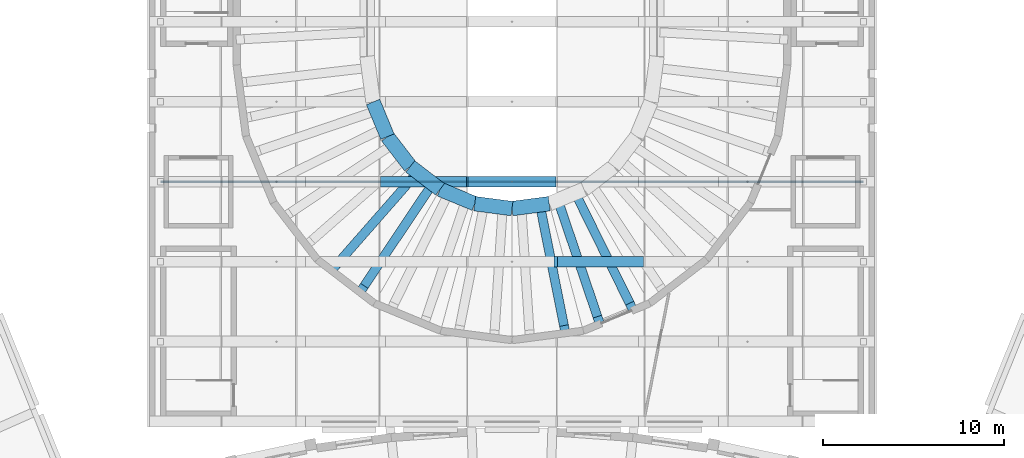
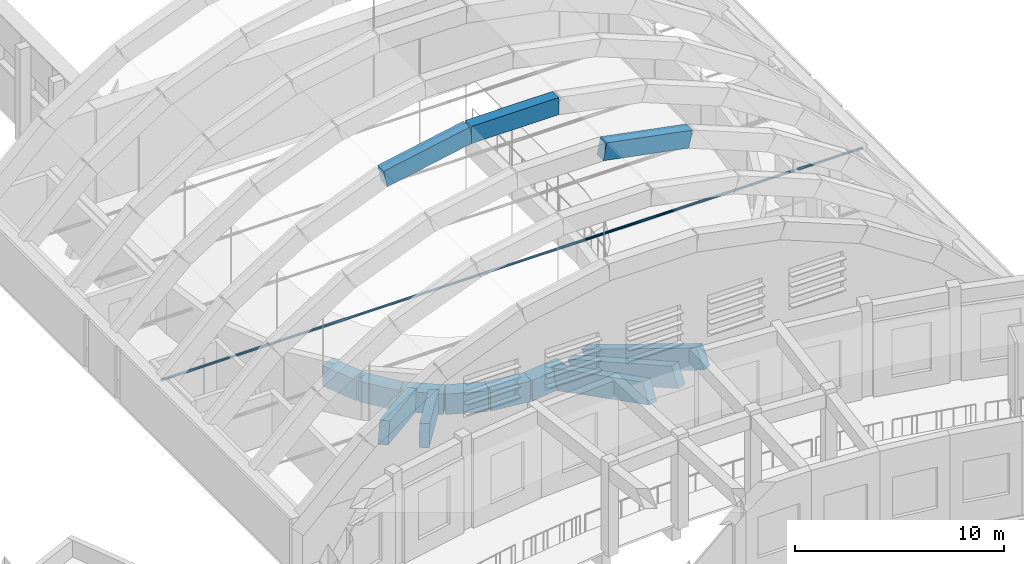
# One storey, part 20 of 94: 14 beams, 1 member.
"""IFC4 building model written with IfcOpenShell, lengths in metres."""

from ifc_helpers import new_model, si_unit, direction, frame, origin, origin_2d, place, context, subcontext, project, spatial, rectangle, hollow_circle, extrude, material, material_profile, profile_set, type_object, element, save


model = new_model("IFC4")

# Units and contexts
model_context = context("Model", 3, precision=1e-05, world=origin(), true_north=direction((0.0, 1.0)))
body_context = subcontext(model_context, "Body", "Model", "MODEL_VIEW")
ifc_project = project(units=[si_unit("LENGTHUNIT", "METRE"), si_unit("AREAUNIT", "SQUARE_METRE"), si_unit("VOLUMEUNIT", "CUBIC_METRE"), si_unit("PLANEANGLEUNIT", "RADIAN"), si_unit("MASSUNIT", "GRAM", prefix="KILO")], contexts=[model_context])

# Site, building, storey
site_placement = place(None, origin())
site = spatial("IfcSite", under=ifc_project, at=site_placement, CompositionType="ELEMENT")
building_placement = place(site_placement, origin())
building = spatial("IfcBuilding", under=site, at=building_placement, Name="Lunette Opera House", CompositionType="ELEMENT")
storey_placement = place(building_placement, frame((0.0, 0.0, 22.5)))
storey = spatial("IfcBuildingStorey", under=building, at=storey_placement, Name="L04", CompositionType="ELEMENT", Elevation=22.5)

# Beams
ifc_material_1 = material(Name="Concrete C40/50", Category="concrete")
ifc_material_profile_1 = material_profile(ifc_material_1, rectangle(XDim=0.60009765625, YDim=1.0, at=origin_2d()), Name="ARCH BEAM 600X1000")
ifc_profile_set_1 = profile_set([ifc_material_profile_1], Name="Concrete C40/50")
beam_type_1 = type_object("IfcBeamType", Name="ARCH BEAM 600X1000", PredefinedType="BEAM", material=ifc_profile_set_1)
for number, where, z_axis, x_axis, name in (
    (1, (98.4189453125, 73.12890625, 11.262939453125), (0.981908402453, 0.0, -0.189356513466), (0.0, 1.0, 0.0), "beam-AU-L04-EA3-6"),
    (2, (88.8310546875, 77.54296875, 10.346923828125), (0.981908402453, 0.0, 0.189356513466), (0.0, 1.0, 0.0), "beam-AU-L04-EA4-4"),
):
    element("IfcBeam", number, at=place(storey_placement, frame(where, z_axis=z_axis, x_axis=x_axis)), inside=storey, type_object=beam_type_1, Name=name, PredefinedType="BEAM", context=body_context, shape_type="SweptSolid", body=[
        extrude(rectangle(XDim=0.60009765625, YDim=1.0, at=origin_2d()), origin(), (0.0, 0.0, 1.0), 4.83740234375),
    ])
beam_1_placement = place(storey_placement, frame((93.5810546875, 77.54296875, 11.262939453125), z_axis=(1.0, 0.0, 0.0), x_axis=(0.0, 1.0, 0.0)))
element("IfcBeam", 3, at=beam_1_placement, inside=storey, type_object=beam_type_1, Name="beam-AU-L04-EA4-5", PredefinedType="BEAM", context=body_context, shape_type="SweptSolid", body=[
    extrude(rectangle(XDim=0.60009765625, YDim=1.0, at=origin_2d()), origin(), (0.0, 0.0, 1.0), 4.837890625),
])

# Member
ifc_material_2 = material(Name="Steel S355", Category="steel")
ifc_material_profile_2 = material_profile(ifc_material_2, hollow_circle(Radius=0.06982421875, WallThickness=0.008056640625, at=origin_2d()), Name="CHS 139.7X8")
ifc_profile_set_2 = profile_set([ifc_material_profile_2], Name="Steel S355")
member_type = type_object("IfcMemberType", Name="CHS 139.7X8", PredefinedType="STRUT", material=ifc_profile_set_2)
member_placement = place(storey_placement, frame((76.60009765625, 77.54296875, 2.699951171875), z_axis=(1.0, 0.0, 0.0), x_axis=(0.0, 1.0, 0.0)))
element("IfcMember", 4, at=member_placement, inside=storey, type_object=member_type, Name="mem-AU-L04-TR4", PredefinedType="STRUT", context=body_context, shape_type="SweptSolid", body=[
    extrude(hollow_circle(Radius=0.06982421875, WallThickness=0.008056640625, at=origin_2d()), origin(), (0.0, 0.0, 1.0), 38.7998046875),
])

# Beams
ifc_material_3 = material(Name="Concrete C35/45", Category="concrete")
ifc_material_profile_3 = material_profile(ifc_material_3, rectangle(XDim=0.5, YDim=1.199951171875, at=origin_2d()), Name="RAKER BEAM 500X1200")
ifc_profile_set_3 = profile_set([ifc_material_profile_3], Name="Concrete C35/45")
beam_type_2 = type_object("IfcBeamType", Name="RAKER BEAM 500X1200", PredefinedType="BEAM", material=ifc_profile_set_3)
beam_2_placement = place(storey_placement, frame((86.169921875, 72.797119140625, -0.845947265625), z_axis=(0.612605269371, 0.698096217019, -0.370643299849), x_axis=(-0.751630908495, 0.659583942645, 0.0)))
element("IfcBeam", 5, at=beam_2_placement, inside=storey, type_object=beam_type_2, Name="beam-AU-L04-RKT3-05-1", PredefinedType="BEAM", context=body_context, shape_type="SweptSolid", body=[
    extrude(rectangle(XDim=0.5, YDim=1.199951171875, at=origin_2d()), origin(), (0.0, 0.0, 1.0), 7.133544921875),
])
beam_3_placement = place(storey_placement, frame((87.722900390625, 71.60595703125, -0.845947265625), z_axis=(0.515813745818, 0.772351504603, -0.370687648786), x_axis=(-0.831596436152, 0.555380380802, 0.0)))
element("IfcBeam", 6, at=beam_3_placement, inside=storey, type_object=beam_type_2, Name="beam-AU-L04-RKT3-05-2", PredefinedType="BEAM", context=body_context, shape_type="SweptSolid", body=[
    extrude(rectangle(XDim=0.5, YDim=1.199951171875, at=origin_2d()), origin(), (0.0, 0.0, 1.0), 7.1328125),
])
beam_4_placement = place(storey_placement, frame((98.912109375, 69.383056640625, -0.845947265625), z_axis=(-0.181540799264, 0.910818079775, -0.370747034726), x_axis=(-0.980709426822, -0.195471277025, 0.0)))
element("IfcBeam", 7, at=beam_4_placement, inside=storey, type_object=beam_type_2, Name="beam-AU-L04-RKT3-08-2", PredefinedType="BEAM", context=body_context, shape_type="SweptSolid", body=[
    extrude(rectangle(XDim=0.5, YDim=1.199951171875, at=origin_2d()), origin(), (0.0, 0.0, 1.0), 7.13427734375),
])
for number, where, z_axis, x_axis, name in (
    (8, (100.787109375, 69.885986328125, -0.845947265625), (-0.298348612243, 0.879541429095, -0.37066828847), (-0.947000722366, -0.32123143034, 0.0), "beam-AU-L04-RKT3-09-1"),
    (9, (102.595947265625, 70.635009765625, -0.845947265625), (-0.411024107178, 0.832863737537, -0.370671253289), (-0.896744075756, -0.44254950299, 0.0), "beam-AU-L04-RKT3-09-2"),
):
    element("IfcBeam", number, at=place(storey_placement, frame(where, z_axis=z_axis, x_axis=x_axis)), inside=storey, type_object=beam_type_2, Name=name, PredefinedType="BEAM", context=body_context, shape_type="SweptSolid", body=[
        extrude(rectangle(XDim=0.5, YDim=1.199951171875, at=origin_2d()), origin(), (0.0, 0.0, 1.0), 7.133056640625),
    ])
ifc_material_4 = material(Name="Concrete C40/50", Category="concrete")
ifc_material_profile_4 = material_profile(ifc_material_4, rectangle(XDim=0.800048828125, YDim=1.199951171875, at=origin_2d()), Name="TIER GIRDER 800X1200")
ifc_profile_set_4 = profile_set([ifc_material_profile_4], Name="Concrete C40/50")
beam_type_3 = type_object("IfcBeamType", Name="TIER GIRDER 800X1200", PredefinedType="BEAM", material=ifc_profile_set_4)
beam_5_placement = place(storey_placement, frame((88.3310546875, 81.945068359375, -3.60009765625), z_axis=(0.382573724394, -0.92392496741, 0.0), x_axis=(0.92392496741, 0.382573724394, 0.0)))
element("IfcBeam", 10, at=beam_5_placement, inside=storey, type_object=beam_type_3, Name="beam-AU-L04-TGL04-3", PredefinedType="BEAM", context=body_context, shape_type="SweptSolid", body=[
    extrude(rectangle(XDim=0.800048828125, YDim=1.199951171875, at=origin_2d()), origin(), (0.0, 0.0, 1.0), 2.07275390625),
])
for number, where, z_axis, x_axis, name in (
    (11, (89.1240234375, 80.030029296875, -3.60009765625), (0.608896365131, -0.793249781929, 0.0), (0.793249781929, 0.608896365131, 0.0), "beam-AU-L04-TGL04-4"),
    (12, (90.385986328125, 78.385986328125, -3.60009765625), (0.793249781929, -0.608896365131, 0.0), (0.608896365131, 0.793249781929, 0.0), "beam-AU-L04-TGL04-5"),
):
    element("IfcBeam", number, at=place(storey_placement, frame(where, z_axis=z_axis, x_axis=x_axis)), inside=storey, type_object=beam_type_3, Name=name, PredefinedType="BEAM", context=body_context, shape_type="SweptSolid", body=[
        extrude(rectangle(XDim=0.800048828125, YDim=1.199951171875, at=origin_2d()), origin(), (0.0, 0.0, 1.0), 2.072509765625),
    ])
for number, where, z_axis, x_axis, name in (
    (13, (92.030029296875, 77.1240234375, -3.60009765625), (0.92392496741, -0.382573724394, 0.0), (0.382573724394, 0.92392496741, 0.0), "beam-AU-L04-TGL04-6"),
    (14, (93.945068359375, 76.3310546875, -3.60009765625), (0.99141616684, -0.130743964024, 0.0), (0.130743964024, 0.99141616684, 0.0), "beam-AU-L04-TGL04-7"),
    (15, (96.0, 76.06005859375, -3.60009765625), (0.99141616684, 0.130743964024, 0.0), (-0.130743964024, 0.99141616684, 0.0), "beam-AU-L04-TGL04-8"),
):
    element("IfcBeam", number, at=place(storey_placement, frame(where, z_axis=z_axis, x_axis=x_axis)), inside=storey, type_object=beam_type_3, Name=name, PredefinedType="BEAM", context=body_context, shape_type="SweptSolid", body=[
        extrude(rectangle(XDim=0.800048828125, YDim=1.199951171875, at=origin_2d()), origin(), (0.0, 0.0, 1.0), 2.07275390625),
    ])

save(model, "model.ifc")
